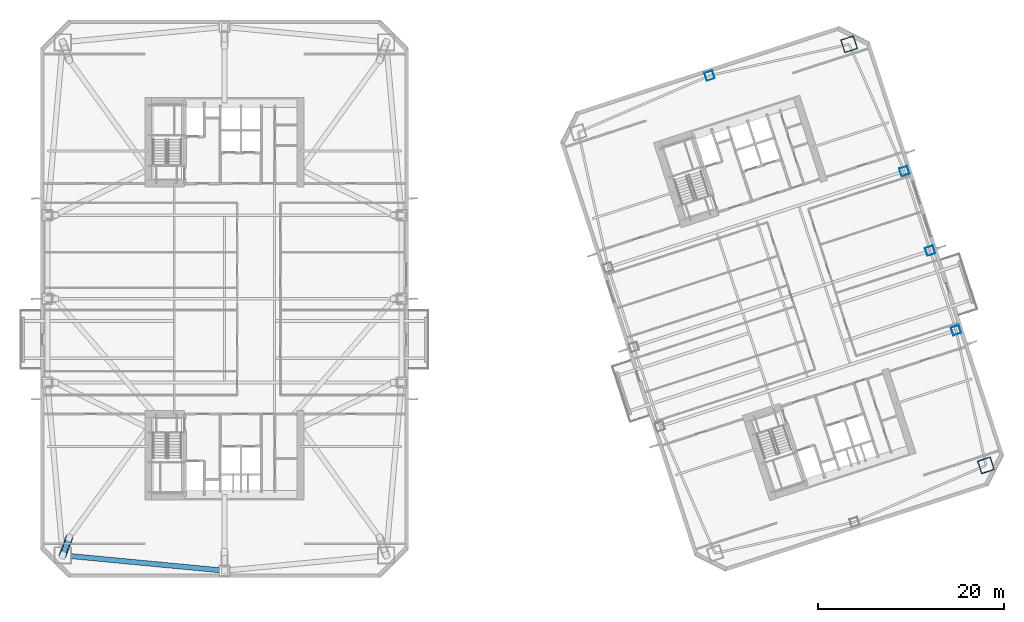
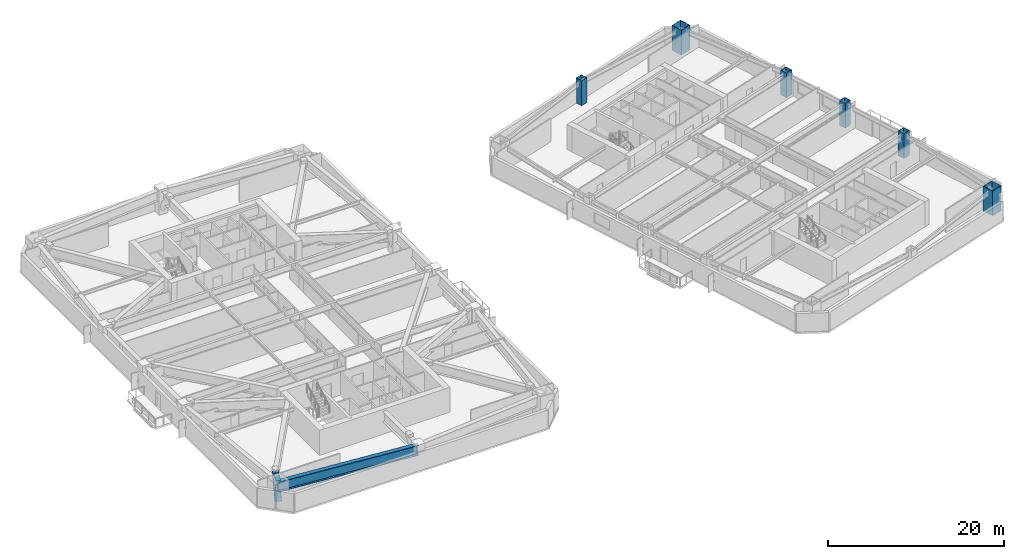
# One storey, part 2 of 19: 6 columns, 2 beams, 1 member.
"""IFC4 building model written with IfcOpenShell, lengths in metres."""

import ifcopenshell
import ifcopenshell.guid

model = None  # the IFC model being written
_history = None  # IfcOwnerHistory: only IFC2X3 demands one
_inside = {}  # id of a spatial element -> (the spatial element, [elements in it])
_under = {}  # id of a project, library or spatial element -> (it, [spatial elements below it])
_declared = {}  # id of a project -> (the project, [libraries it declares])
_typed = {}  # id of a type object -> (the type object, [elements of that type])
_made_of = {}  # id of a material, layer set ... -> (it, [elements and type objects made of it])


def new_model(schema):
    """Start an empty IFC model of exactly this schema.

    Asked for "IFC4X3", IfcOpenShell would pick the latest addendum, in which some entities
    have other attributes; the version numbers below select the first issue.
    IFC2X3 requires an IfcOwnerHistory on every rooted entity: one is made here for all.
    """
    global model, _history
    if schema == "IFC4X3":
        model = ifcopenshell.file(schema_version=(4, 3, 0, 0))
    else:
        model = ifcopenshell.file(schema=schema)
    _inside.clear()
    _under.clear()
    _declared.clear()
    _typed.clear()
    _made_of.clear()
    _history = None
    if model.schema == "IFC2X3":
        org = make("IfcOrganization", Name="unknown")
        user = make(
            "IfcPersonAndOrganization",
            ThePerson=make("IfcPerson", FamilyName="unknown"),
            TheOrganization=org,
        )
        app = make(
            "IfcApplication",
            ApplicationDeveloper=org,
            Version="unknown",
            ApplicationFullName="unknown",
            ApplicationIdentifier="unknown",
        )
        _history = make(
            "IfcOwnerHistory",
            OwningUser=user,
            OwningApplication=app,
            ChangeAction="ADDED",
            CreationDate=0,
        )
    return model


def make(cls, **values):
    """One entity of the class cls with the attributes given. An attribute that is None is left unset."""
    return model.create_entity(
        cls, **{name: value for name, value in values.items() if value is not None}
    )


def rooted(cls, **values):
    """An entity with a GlobalId (a new one), such as an element, a storey or a relation."""
    return make(cls, GlobalId=ifcopenshell.guid.new(), OwnerHistory=_history, **values)


def si_unit(unit_type, name, prefix=None):
    """IfcSIUnit, for example si_unit("LENGTHUNIT", "METRE", prefix="MILLI")."""
    return make("IfcSIUnit", UnitType=unit_type, Prefix=prefix, Name=name)


def assignment(units):
    """IfcUnitAssignment: the units of a project."""
    return None if units is None else make("IfcUnitAssignment", Units=units)


def point(xyz):
    """IfcCartesianPoint."""
    return None if xyz is None else make("IfcCartesianPoint", Coordinates=xyz)


def direction(xyz):
    """IfcDirection."""
    return None if xyz is None else make("IfcDirection", DirectionRatios=xyz)


def frame(location, z_axis=None, x_axis=None):
    """IfcAxis2Placement3D, a coordinate frame: its origin and axes. An axis left out is left unset."""
    return make(
        "IfcAxis2Placement3D",
        Location=point(location),
        Axis=direction(z_axis),
        RefDirection=direction(x_axis),
    )


def frame_2d(location, x_axis=None):
    """IfcAxis2Placement2D, a coordinate frame in the plane: its origin and x axis."""
    return make(
        "IfcAxis2Placement2D", Location=point(location), RefDirection=direction(x_axis)
    )


def origin():
    """The frame at (0, 0, 0) with its axes left unset."""
    return frame((0.0, 0.0, 0.0))


def origin_2d():
    """The frame at (0, 0) in the plane with its x axis left unset."""
    return frame_2d((0.0, 0.0))


def place(relative_to, where):
    """IfcLocalPlacement: puts the frame where relative to a parent placement (None: the world)."""
    return make(
        "IfcLocalPlacement", PlacementRelTo=relative_to, RelativePlacement=where
    )


def context(
    kind, dimensions, precision=None, world=None, true_north=None, identifier=None
):
    """IfcGeometricRepresentationContext, for example the 3D "Model" context."""
    return make(
        "IfcGeometricRepresentationContext",
        ContextIdentifier=identifier,
        ContextType=kind,
        CoordinateSpaceDimension=dimensions,
        Precision=precision,
        WorldCoordinateSystem=world,
        TrueNorth=true_north,
    )


def subcontext(parent, identifier, kind, view, scale=None):
    """IfcGeometricRepresentationSubContext, for example "Body" below "Model"."""
    return make(
        "IfcGeometricRepresentationSubContext",
        ContextIdentifier=identifier,
        ContextType=kind,
        ParentContext=parent,
        TargetScale=scale,
        TargetView=view,
    )


def project(units=None, contexts=None):
    """IfcProject with its units and contexts."""
    return rooted(
        "IfcProject",
        Name="project",
        RepresentationContexts=contexts,
        UnitsInContext=assignment(units),
    )


def spatial(cls, under=None, at=None, **own):
    """A site, building, storey or space (cls), placed at a placement, below another one or the project."""
    s = rooted(cls, ObjectPlacement=at, **own)
    if under is not None:
        _under.setdefault(under.id(), (under, []))[1].append(s)
    return s


def profile(cls, at=None, kind="AREA", **sizes):
    """A parametric profile (cls). Its sizes go by their IFC names, for example OverallWidth=200.0."""
    return make(cls, ProfileType=kind, Position=at, **sizes)


def hollow_rectangle(**sizes):
    """IfcRectangleHollowProfileDef."""
    return profile("IfcRectangleHollowProfileDef", **sizes)


def hollow_circle(**sizes):
    """IfcCircleHollowProfileDef."""
    return profile("IfcCircleHollowProfileDef", **sizes)


def i_section(**sizes):
    """IfcIShapeProfileDef."""
    return profile("IfcIShapeProfileDef", **sizes)


def extrude(swept, where, along, depth):
    """IfcExtrudedAreaSolid: the profile swept, set in the frame where, extruded along a direction by depth."""
    return make(
        "IfcExtrudedAreaSolid",
        SweptArea=swept,
        Position=where,
        ExtrudedDirection=direction(along),
        Depth=depth,
    )


def shape(context_of_items, identifier, shape_type, items):
    """IfcShapeRepresentation: the items that make up one representation, for example the "Body"."""
    return make(
        "IfcShapeRepresentation",
        ContextOfItems=context_of_items,
        RepresentationIdentifier=identifier,
        RepresentationType=shape_type,
        Items=items,
    )


def material(Name=None, Category=None):
    """IfcMaterial."""
    return make("IfcMaterial", Name=Name, Category=Category)


def material_profile(
    of_material, cross_section, Name=None, Category=None, Priority=None
):
    """IfcMaterialProfile: a cross section and its material."""
    return make(
        "IfcMaterialProfile",
        Name=Name,
        Material=of_material,
        Profile=cross_section,
        Priority=Priority,
        Category=Category,
    )


def profile_set(profiles, Name=None, composite=None):
    """IfcMaterialProfileSet."""
    return make(
        "IfcMaterialProfileSet",
        Name=Name,
        MaterialProfiles=profiles,
        CompositeProfile=composite,
    )


def made_of(thing, what):
    """Note that an element or type object is made of a material, layer set ...; save() writes the relation."""
    if what is not None:
        _made_of.setdefault(what.id(), (what, []))[1].append(thing)
    return thing


def type_object(cls, material=None, **own):
    """A type object (cls), such as IfcWallType, which elements share."""
    return made_of(rooted(cls, **own), material)


def element(
    cls,
    number,
    at=None,
    inside=None,
    cuts=None,
    type_object=None,
    material=None,
    context=None,
    identifier="Body",
    shape_type=None,
    held_by="IfcProductDefinitionShape",
    body=None,
    shapes=None,
    **own,
):
    """One element of the class cls, such as IfcWall. Its Tag is "e" and its number.

    at: its placement. inside: the storey or other place that contains it. cuts: it is an
    opening in that element (IfcRelVoidsElement). A single representation is given by context,
    identifier, shape_type and body (its items); several are given by shapes. held_by: the class
    of the entity that holds the representations. save() writes the other relations.
    """
    e = rooted(cls, Tag="e%d" % number, ObjectPlacement=at, **own)
    if body is not None:
        shapes = [shape(context, identifier, shape_type, body)]
    if shapes is not None:
        e.Representation = make(held_by, Representations=shapes)
    if inside is not None:
        _inside.setdefault(inside.id(), (inside, []))[1].append(e)
    if cuts is not None:
        rooted(
            "IfcRelVoidsElement", RelatingBuildingElement=cuts, RelatedOpeningElement=e
        )
    if type_object is not None:
        _typed.setdefault(type_object.id(), (type_object, []))[1].append(e)
    return made_of(e, material)


def aggregate(whole, parts):
    """IfcRelAggregates: a whole, such as a stair, and the parts it consists of."""
    return rooted("IfcRelAggregates", RelatingObject=whole, RelatedObjects=parts)


def save(model, path):
    """Write the relations noted so far, then the file.

    IfcRelAggregates (storeys below a building ...), IfcRelContainedInSpatialStructure (elements
    in a storey), IfcRelDefinesByType, IfcRelAssociatesMaterial and IfcRelDeclares: one each for
    every whole, place, type object, material and project.
    """
    for whole, parts in _under.values():
        aggregate(whole, parts)
    for where, things in _inside.values():
        rooted(
            "IfcRelContainedInSpatialStructure",
            RelatedElements=things,
            RelatingStructure=where,
        )
    for kind, things in _typed.values():
        rooted("IfcRelDefinesByType", RelatedObjects=things, RelatingType=kind)
    for what, things in _made_of.values():
        rooted("IfcRelAssociatesMaterial", RelatedObjects=things, RelatingMaterial=what)
    for by, libraries in _declared.values():
        rooted("IfcRelDeclares", RelatingContext=by, RelatedDefinitions=libraries)
    model.write(path)


model = new_model("IFC4")

# Units and contexts
model_context = context("Model", 3, precision=1e-05, world=origin(), true_north=direction((0.0, 1.0)))
body_context = subcontext(model_context, "Body", "Model", "MODEL_VIEW")
ifc_project = project(units=[si_unit("LENGTHUNIT", "METRE"), si_unit("AREAUNIT", "SQUARE_METRE"), si_unit("VOLUMEUNIT", "CUBIC_METRE"), si_unit("PLANEANGLEUNIT", "RADIAN"), si_unit("MASSUNIT", "GRAM", prefix="KILO")], contexts=[model_context])

# Site, building, storey
site_placement = place(None, origin())
site = spatial("IfcSite", under=ifc_project, at=site_placement, CompositionType="ELEMENT")
building_placement = place(site_placement, origin())
building = spatial("IfcBuilding", under=site, at=building_placement, Name="Qiaolan Cultural Towers", CompositionType="ELEMENT")
storey_placement = place(building_placement, frame((0.0, 0.0, 88.550048828125)))
storey = spatial("IfcBuildingStorey", under=building, at=storey_placement, Name="L22", CompositionType="ELEMENT", Elevation=88.550048828125)

# Columns
ifc_material_1 = material(Name="Steel Q420GJB", Category="steel")
ifc_material_profile_1 = material_profile(ifc_material_1, hollow_rectangle(XDim=1.449951171875, YDim=1.449951171875, WallThickness=0.050048828125, at=origin_2d()), Name="BOX1450x1450x50")
ifc_profile_set_1 = profile_set([ifc_material_profile_1], Name="Steel Q420GJB")
column_type_1 = type_object("IfcColumnType", Name="COL-BOX1450x1450x50", PredefinedType="COLUMN", material=ifc_profile_set_1)
for number, where, z_axis, x_axis, name in (
    (1, (111.930908203125, 16.080078125, 0.0), (0.0, 0.0, 1.0), (0.951056516295, 0.309016994375, 0.0), "L22 T2 Perimeter Column MC-SE"),
    (2, (97.20947265625, 61.388427734375, 0.0), (0.0, 0.0, 1.0), (0.951056516295, 0.309016994375, 0.0), "L22 T2 Perimeter Column MC-NE"),
):
    element("IfcColumn", number, at=place(storey_placement, frame(where, z_axis=z_axis, x_axis=x_axis)), inside=storey, type_object=column_type_1, Name=name, PredefinedType="COLUMN", context=body_context, shape_type="SweptSolid", body=[
        extrude(hollow_rectangle(XDim=1.449951171875, YDim=1.449951171875, WallThickness=0.050048828125, at=origin_2d()), origin(), (0.0, 0.0, 1.0), 3.450927734375),
    ])
ifc_material_2 = material(Name="Steel Q355B", Category="steel")
ifc_material_profile_2 = material_profile(ifc_material_2, hollow_rectangle(XDim=0.89990234375, YDim=0.89990234375, WallThickness=0.031982421875, at=origin_2d()), Name="BOX900x900x32")
ifc_profile_set_2 = profile_set([ifc_material_profile_2], Name="Steel Q355B")
column_type_2 = type_object("IfcColumnType", Name="COL-BOX900x900x32", PredefinedType="COLUMN", material=ifc_profile_set_2)
for number, where, z_axis, x_axis, name in (
    (3, (108.71142578125, 30.616455078125, 0.0), (0.0, 0.0, 1.0), (0.951056516295, 0.309016994375, 0.0), "L22 T2 Perimeter Column PC-E1"),
    (4, (105.93017578125, 39.176025390625, 0.0), (0.0, 0.0, 1.0), (0.951056516295, 0.309016994375, 0.0), "L22 T2 Perimeter Column PC-E2"),
    (5, (103.14892578125, 47.735595703125, 0.0), (0.0, 0.0, 1.0), (0.951056516295, 0.309016994375, 0.0), "L22 T2 Perimeter Column PC-E3"),
    (6, (82.197265625, 58.01416015625, 0.0), (0.0, 0.0, 1.0), (0.951056516295, 0.309016994375, 0.0), "L22 T2 Perimeter Column PC-N0"),
):
    element("IfcColumn", number, at=place(storey_placement, frame(where, z_axis=z_axis, x_axis=x_axis)), inside=storey, type_object=column_type_2, Name=name, PredefinedType="COLUMN", context=body_context, shape_type="SweptSolid", body=[
        extrude(hollow_rectangle(XDim=0.89990234375, YDim=0.89990234375, WallThickness=0.031982421875, at=origin_2d()), origin(), (0.0, 0.0, 1.0), 3.450927734375),
    ])

# Beams
ifc_material_3 = material(Name="Steel Q420GJB", Category="steel")
ifc_material_profile_3 = material_profile(ifc_material_3, i_section(OverallWidth=0.550048828125, OverallDepth=1.39990234375, WebThickness=0.031982421875, FlangeThickness=0.050048828125, at=origin_2d()), Name="BH1400x550x32x50")
ifc_profile_set_3 = profile_set([ifc_material_profile_3], Name="Steel Q420GJB")
beam_type = type_object("IfcBeamType", Name="BM-BH1400x550x32x50", PredefinedType="BEAM", material=ifc_profile_set_3)
beam_1_placement = place(storey_placement, frame((12.60009765625, 6.39990234375, 2.469970703125), z_axis=(0.342892389038, 0.939374690706, 0.0), x_axis=(-0.939374690706, 0.342892389038, 0.0)))
element("IfcBeam", 7, at=beam_1_placement, inside=storey, type_object=beam_type, Name="L22 T1 Setback Transfer Girder MC-SW-A", PredefinedType="BEAM", context=body_context, shape_type="SweptSolid", body=[
    extrude(i_section(OverallWidth=0.550048828125, OverallDepth=1.39990234375, WebThickness=0.031982421875, FlangeThickness=0.050048828125, at=origin_2d()), origin(), (0.0, 0.0, 1.0), 2.01220703125),
])
beam_2_placement = place(storey_placement, frame((12.60009765625, 6.39990234375, 2.469970703125), z_axis=(0.995534437156, -0.094399070104, 0.0), x_axis=(0.094399070104, 0.995534437156, 0.0)))
element("IfcBeam", 8, at=beam_2_placement, inside=storey, type_object=beam_type, Name="L22 T1 Perimeter Spandrel Beam 1", PredefinedType="BEAM", context=body_context, shape_type="SweptSolid", body=[
    extrude(i_section(OverallWidth=0.550048828125, OverallDepth=1.39990234375, WebThickness=0.031982421875, FlangeThickness=0.050048828125, at=origin_2d()), origin(), (0.0, 0.0, 1.0), 17.47802734375),
])

# Member
ifc_material_4 = material(Name="Steel Q390GJB", Category="steel")
ifc_material_profile_4 = material_profile(ifc_material_4, hollow_circle(Radius=0.39990234375, WallThickness=0.0400390625, at=origin_2d()), Name="CHS800x40")
ifc_profile_set_4 = profile_set([ifc_material_profile_4], Name="Steel Q390GJB")
member_type = type_object("IfcMemberType", Name="MBR-BRC-CHS800x40", PredefinedType="BRACE", material=ifc_profile_set_4)
member_placement = place(storey_placement, frame((12.60009765625, 6.39990234375, 0.300048828125), z_axis=(0.196846653485, 0.539273457635, 0.818801278029), x_axis=(-0.939374690706, 0.342892389038, 0.0)))
element("IfcMember", 9, at=member_placement, inside=storey, type_object=member_type, Name="L22 T1 Setback Transfer Raker Strut MC-SW", PredefinedType="BRACE", context=body_context, shape_type="SweptSolid", body=[
    extrude(hollow_circle(Radius=0.39990234375, WallThickness=0.0400390625, at=origin_2d()), origin(), (0.0, 0.0, 1.0), 3.5048828125),
])

save(model, "model.ifc")
